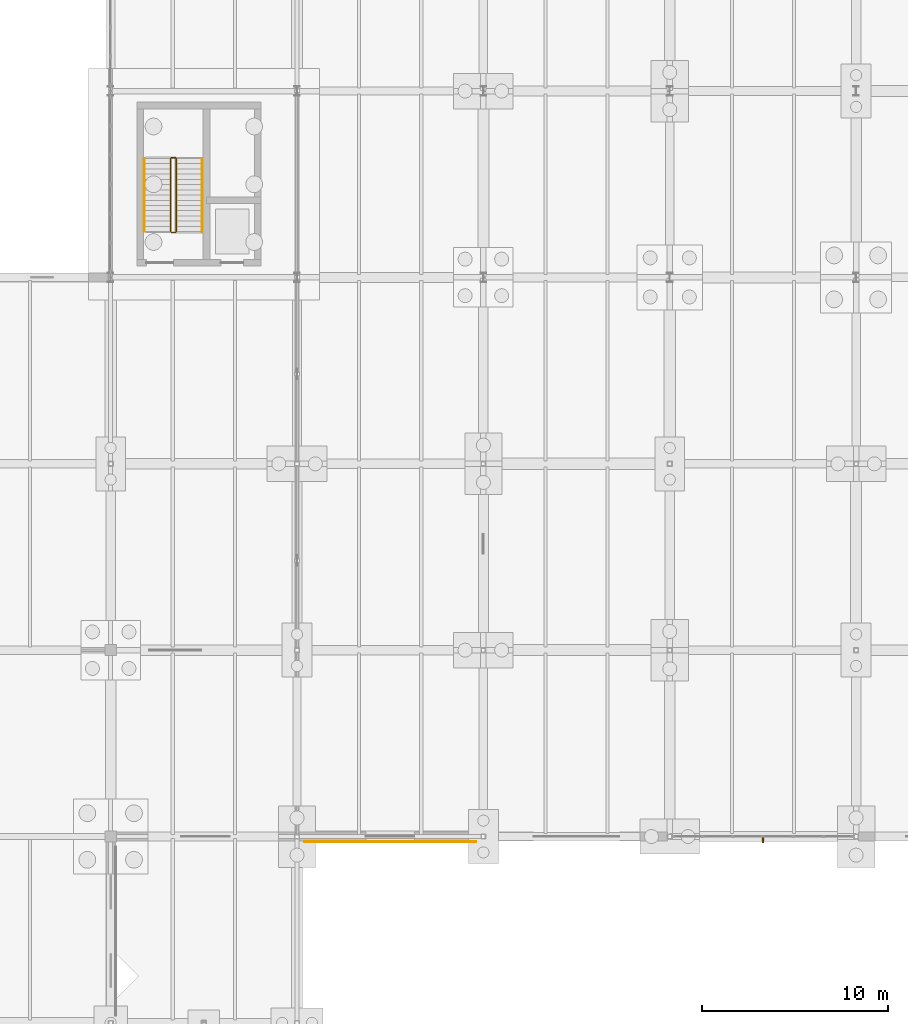
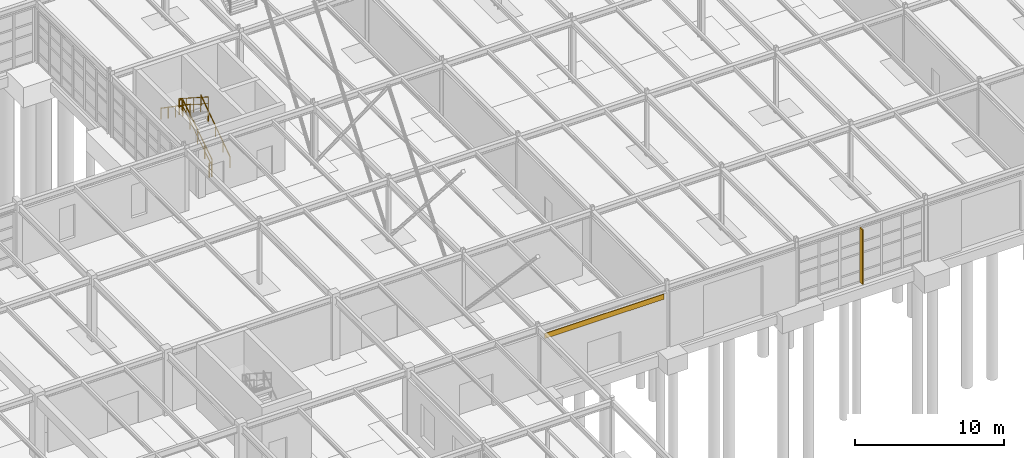
# One storey, part 133 of 145: 6 railings, 1 covering, 1 shading device.
"""IFC4 building model written with IfcOpenShell, lengths in metres."""

import ifcopenshell
import ifcopenshell.guid

model = None  # the IFC model being written
_history = None  # IfcOwnerHistory: only IFC2X3 demands one
_inside = {}  # id of a spatial element -> (the spatial element, [elements in it])
_under = {}  # id of a project, library or spatial element -> (it, [spatial elements below it])
_declared = {}  # id of a project -> (the project, [libraries it declares])
_typed = {}  # id of a type object -> (the type object, [elements of that type])
_made_of = {}  # id of a material, layer set ... -> (it, [elements and type objects made of it])


def new_model(schema):
    """Start an empty IFC model of exactly this schema.

    Asked for "IFC4X3", IfcOpenShell would pick the latest addendum, in which some entities
    have other attributes; the version numbers below select the first issue.
    IFC2X3 requires an IfcOwnerHistory on every rooted entity: one is made here for all.
    """
    global model, _history
    if schema == "IFC4X3":
        model = ifcopenshell.file(schema_version=(4, 3, 0, 0))
    else:
        model = ifcopenshell.file(schema=schema)
    _inside.clear()
    _under.clear()
    _declared.clear()
    _typed.clear()
    _made_of.clear()
    _history = None
    if model.schema == "IFC2X3":
        org = make("IfcOrganization", Name="unknown")
        user = make(
            "IfcPersonAndOrganization",
            ThePerson=make("IfcPerson", FamilyName="unknown"),
            TheOrganization=org,
        )
        app = make(
            "IfcApplication",
            ApplicationDeveloper=org,
            Version="unknown",
            ApplicationFullName="unknown",
            ApplicationIdentifier="unknown",
        )
        _history = make(
            "IfcOwnerHistory",
            OwningUser=user,
            OwningApplication=app,
            ChangeAction="ADDED",
            CreationDate=0,
        )
    return model


def make(cls, **values):
    """One entity of the class cls with the attributes given. An attribute that is None is left unset."""
    return model.create_entity(
        cls, **{name: value for name, value in values.items() if value is not None}
    )


def rooted(cls, **values):
    """An entity with a GlobalId (a new one), such as an element, a storey or a relation."""
    return make(cls, GlobalId=ifcopenshell.guid.new(), OwnerHistory=_history, **values)


def si_unit(unit_type, name, prefix=None):
    """IfcSIUnit, for example si_unit("LENGTHUNIT", "METRE", prefix="MILLI")."""
    return make("IfcSIUnit", UnitType=unit_type, Prefix=prefix, Name=name)


def assignment(units):
    """IfcUnitAssignment: the units of a project."""
    return None if units is None else make("IfcUnitAssignment", Units=units)


def point(xyz):
    """IfcCartesianPoint."""
    return None if xyz is None else make("IfcCartesianPoint", Coordinates=xyz)


def direction(xyz):
    """IfcDirection."""
    return None if xyz is None else make("IfcDirection", DirectionRatios=xyz)


def frame(location, z_axis=None, x_axis=None):
    """IfcAxis2Placement3D, a coordinate frame: its origin and axes. An axis left out is left unset."""
    return make(
        "IfcAxis2Placement3D",
        Location=point(location),
        Axis=direction(z_axis),
        RefDirection=direction(x_axis),
    )


def frame_2d(location, x_axis=None):
    """IfcAxis2Placement2D, a coordinate frame in the plane: its origin and x axis."""
    return make(
        "IfcAxis2Placement2D", Location=point(location), RefDirection=direction(x_axis)
    )


def origin():
    """The frame at (0, 0, 0) with its axes left unset."""
    return frame((0.0, 0.0, 0.0))


def origin_2d():
    """The frame at (0, 0) in the plane with its x axis left unset."""
    return frame_2d((0.0, 0.0))


def place(relative_to, where):
    """IfcLocalPlacement: puts the frame where relative to a parent placement (None: the world)."""
    return make(
        "IfcLocalPlacement", PlacementRelTo=relative_to, RelativePlacement=where
    )


def context(
    kind, dimensions, precision=None, world=None, true_north=None, identifier=None
):
    """IfcGeometricRepresentationContext, for example the 3D "Model" context."""
    return make(
        "IfcGeometricRepresentationContext",
        ContextIdentifier=identifier,
        ContextType=kind,
        CoordinateSpaceDimension=dimensions,
        Precision=precision,
        WorldCoordinateSystem=world,
        TrueNorth=true_north,
    )


def subcontext(parent, identifier, kind, view, scale=None):
    """IfcGeometricRepresentationSubContext, for example "Body" below "Model"."""
    return make(
        "IfcGeometricRepresentationSubContext",
        ContextIdentifier=identifier,
        ContextType=kind,
        ParentContext=parent,
        TargetScale=scale,
        TargetView=view,
    )


def project(units=None, contexts=None):
    """IfcProject with its units and contexts."""
    return rooted(
        "IfcProject",
        Name="project",
        RepresentationContexts=contexts,
        UnitsInContext=assignment(units),
    )


def spatial(cls, under=None, at=None, **own):
    """A site, building, storey or space (cls), placed at a placement, below another one or the project."""
    s = rooted(cls, ObjectPlacement=at, **own)
    if under is not None:
        _under.setdefault(under.id(), (under, []))[1].append(s)
    return s


def polyline(points):
    """IfcPolyline through the points."""
    return make("IfcPolyline", Points=[point(p) for p in points])


def profile(cls, at=None, kind="AREA", **sizes):
    """A parametric profile (cls). Its sizes go by their IFC names, for example OverallWidth=200.0."""
    return make(cls, ProfileType=kind, Position=at, **sizes)


def rectangle(**sizes):
    """IfcRectangleProfileDef."""
    return profile("IfcRectangleProfileDef", **sizes)


def circle(**sizes):
    """IfcCircleProfileDef."""
    return profile("IfcCircleProfileDef", **sizes)


def outline(outer, holes=None, kind="AREA"):
    """IfcArbitraryClosedProfileDef: a profile drawn as a closed curve; with holes, ...WithVoids."""
    if holes is None:
        return make("IfcArbitraryClosedProfileDef", ProfileType=kind, OuterCurve=outer)
    return make(
        "IfcArbitraryProfileDefWithVoids",
        ProfileType=kind,
        OuterCurve=outer,
        InnerCurves=holes,
    )


def extrude(swept, where, along, depth):
    """IfcExtrudedAreaSolid: the profile swept, set in the frame where, extruded along a direction by depth."""
    return make(
        "IfcExtrudedAreaSolid",
        SweptArea=swept,
        Position=where,
        ExtrudedDirection=direction(along),
        Depth=depth,
    )


def shape(context_of_items, identifier, shape_type, items):
    """IfcShapeRepresentation: the items that make up one representation, for example the "Body"."""
    return make(
        "IfcShapeRepresentation",
        ContextOfItems=context_of_items,
        RepresentationIdentifier=identifier,
        RepresentationType=shape_type,
        Items=items,
    )


def material(Name=None, Category=None):
    """IfcMaterial."""
    return make("IfcMaterial", Name=Name, Category=Category)


def layer(
    of_material, thickness, ventilated=None, Name=None, Category=None, Priority=None
):
    """IfcMaterialLayer: one layer of a wall or slab, of a material (None: an air gap)."""
    return make(
        "IfcMaterialLayer",
        Material=of_material,
        LayerThickness=thickness,
        IsVentilated=ventilated,
        Name=Name,
        Category=Category,
        Priority=Priority,
    )


def layer_set(layers, Name=None):
    """IfcMaterialLayerSet."""
    return make("IfcMaterialLayerSet", MaterialLayers=layers, LayerSetName=Name)


def made_of(thing, what):
    """Note that an element or type object is made of a material, layer set ...; save() writes the relation."""
    if what is not None:
        _made_of.setdefault(what.id(), (what, []))[1].append(thing)
    return thing


def type_object(cls, material=None, **own):
    """A type object (cls), such as IfcWallType, which elements share."""
    return made_of(rooted(cls, **own), material)


def element(
    cls,
    number,
    at=None,
    inside=None,
    cuts=None,
    type_object=None,
    material=None,
    context=None,
    identifier="Body",
    shape_type=None,
    held_by="IfcProductDefinitionShape",
    body=None,
    shapes=None,
    **own,
):
    """One element of the class cls, such as IfcWall. Its Tag is "e" and its number.

    at: its placement. inside: the storey or other place that contains it. cuts: it is an
    opening in that element (IfcRelVoidsElement). A single representation is given by context,
    identifier, shape_type and body (its items); several are given by shapes. held_by: the class
    of the entity that holds the representations. save() writes the other relations.
    """
    e = rooted(cls, Tag="e%d" % number, ObjectPlacement=at, **own)
    if body is not None:
        shapes = [shape(context, identifier, shape_type, body)]
    if shapes is not None:
        e.Representation = make(held_by, Representations=shapes)
    if inside is not None:
        _inside.setdefault(inside.id(), (inside, []))[1].append(e)
    if cuts is not None:
        rooted(
            "IfcRelVoidsElement", RelatingBuildingElement=cuts, RelatedOpeningElement=e
        )
    if type_object is not None:
        _typed.setdefault(type_object.id(), (type_object, []))[1].append(e)
    return made_of(e, material)


def aggregate(whole, parts):
    """IfcRelAggregates: a whole, such as a stair, and the parts it consists of."""
    return rooted("IfcRelAggregates", RelatingObject=whole, RelatedObjects=parts)


def save(model, path):
    """Write the relations noted so far, then the file.

    IfcRelAggregates (storeys below a building ...), IfcRelContainedInSpatialStructure (elements
    in a storey), IfcRelDefinesByType, IfcRelAssociatesMaterial and IfcRelDeclares: one each for
    every whole, place, type object, material and project.
    """
    for whole, parts in _under.values():
        aggregate(whole, parts)
    for where, things in _inside.values():
        rooted(
            "IfcRelContainedInSpatialStructure",
            RelatedElements=things,
            RelatingStructure=where,
        )
    for kind, things in _typed.values():
        rooted("IfcRelDefinesByType", RelatedObjects=things, RelatingType=kind)
    for what, things in _made_of.values():
        rooted("IfcRelAssociatesMaterial", RelatedObjects=things, RelatingMaterial=what)
    for by, libraries in _declared.values():
        rooted("IfcRelDeclares", RelatingContext=by, RelatedDefinitions=libraries)
    model.write(path)


model = new_model("IFC4")

# Units and contexts
model_context = context("Model", 3, precision=1e-05, world=origin(), true_north=direction((0.0, 1.0)))
body_context = subcontext(model_context, "Body", "Model", "MODEL_VIEW")
ifc_project = project(units=[si_unit("LENGTHUNIT", "METRE"), si_unit("AREAUNIT", "SQUARE_METRE"), si_unit("VOLUMEUNIT", "CUBIC_METRE"), si_unit("PLANEANGLEUNIT", "RADIAN"), si_unit("MASSUNIT", "GRAM", prefix="KILO"), si_unit("THERMODYNAMICTEMPERATUREUNIT", "KELVIN"), si_unit("POWERUNIT", "WATT")], contexts=[model_context])

# Site, building, storey
site_placement = place(None, origin())
site = spatial("IfcSite", under=ifc_project, at=site_placement, CompositionType="ELEMENT")
building_placement = place(site_placement, origin())
building = spatial("IfcBuilding", under=site, at=building_placement, Name="Korenveer Ferry Terminal", CompositionType="ELEMENT")
storey_placement = place(building_placement, origin())
storey = spatial("IfcBuildingStorey", under=building, at=storey_placement, Name="L00", CompositionType="ELEMENT", Elevation=0.0)

# Covering
ifc_material_1 = material(Name="Carved Belgian bluestone spandrel cladding", Category="masonry")
ifc_layer = layer(ifc_material_1, 0.050048828125)
ifc_layer_set = layer_set([ifc_layer], Name="Carved Belgian bluestone spandrel cladding")
covering_type = type_object("IfcCoveringType", Name="ENV-COV-STONE", PredefinedType="CLADDING", material=ifc_layer_set)
covering_placement = place(storey_placement, frame((0.0, 0.0, 4.1201171875)))
element("IfcCovering", 1, at=covering_placement, inside=storey, type_object=covering_type, Name="Belgian bluestone spandrel band 4", PredefinedType="CLADDING", context=body_context, shape_type="SweptSolid", body=[
    extrude(outline(polyline([(63.375, 19.705078125), (72.625, 19.705078125), (72.625, 19.7548828125), (63.375, 19.7548828125), (63.375, 19.705078125)])), origin(), (0.0, 0.0, 1.0), 0.419921875),
])

# Shading device
ifc_material_2 = material(Name="Anodised bronze aluminium solar fin", Category="aluminium")
shading_device_type = type_object("IfcShadingDeviceType", Name="ENV-SHD-FIN", PredefinedType="JALOUSIE", material=ifc_material_2)
shading_device_placement = place(storey_placement, frame((88.0, 19.840087890625, -0.02001953125), z_axis=(0.0, 0.0, 1.0), x_axis=(0.0, 1.0, 0.0)))
element("IfcShadingDevice", 2, at=shading_device_placement, inside=storey, type_object=shading_device_type, Name="Gothic solar fin 1", PredefinedType="JALOUSIE", context=body_context, shape_type="SweptSolid", body=[
    extrude(rectangle(XDim=0.360107421875, YDim=0.080078125, at=origin_2d()), origin(), (0.0, 0.0, 1.0), 4.469970703125),
])

# Railings
ifc_material_3 = material(Name="Brushed stainless steel handrail", Category="steel")
railing_type_1 = type_object("IfcRailingType", Name="INT-RL-HND90", PredefinedType="HANDRAIL", material=ifc_material_3)
railing_1_placement = place(storey_placement, frame((57.909912109375, 52.4599609375, 0.179931640625)))
element("IfcRailing", 3, at=railing_1_placement, inside=storey, type_object=railing_type_1, Name="L00 ST05 stair handrail 1", PredefinedType="HANDRAIL", context=body_context, shape_type="SweptSolid", body=[
    extrude(circle(Radius=0.02392578125, at=origin_2d()), frame((0.0, 0.0, 0.8759765625), z_axis=(0.0, 0.823550731654, 0.567242622158), x_axis=(-1.0, 0.0, 0.0)), (0.0, 0.0, 1.0), 4.759765625),
    extrude(circle(Radius=0.02099609375, at=origin_2d()), origin(), (0.0, 0.0, 1.0), 0.851806640625),
    extrude(circle(Radius=0.02099609375, at=origin_2d()), frame((0.0, 0.97998046875, 0.675048828125)), (0.0, 0.0, 1.0), 0.851806640625),
    extrude(circle(Radius=0.02099609375, at=origin_2d()), frame((0.0, 1.9599609375, 1.35009765625)), (0.0, 0.0, 1.0), 0.851806640625),
    extrude(circle(Radius=0.02099609375, at=origin_2d()), frame((0.0, 2.93994140625, 2.02490234375)), (0.0, 0.0, 1.0), 0.851806640625),
    extrude(circle(Radius=0.02099609375, at=origin_2d()), frame((0.0, 3.919921875, 2.699951171875)), (0.0, 0.0, 1.0), 0.851806640625),
])
railing_2_placement = place(storey_placement, frame((54.81005859375, 56.3798828125, 2.8798828125)))
element("IfcRailing", 4, at=railing_2_placement, inside=storey, type_object=railing_type_1, Name="L00 ST05 stair handrail 2", PredefinedType="HANDRAIL", context=body_context, shape_type="SweptSolid", body=[
    extrude(circle(Radius=0.02392578125, at=origin_2d()), frame((0.0, 0.0, 0.8759765625), z_axis=(0.0, -0.823526770215, 0.56727740898), x_axis=(1.0, 0.0, 0.0)), (0.0, 0.0, 1.0), 4.760009765625),
    extrude(circle(Radius=0.02099609375, at=origin_2d()), origin(), (0.0, 0.0, 1.0), 0.851806640625),
    extrude(circle(Radius=0.02099609375, at=origin_2d()), frame((0.0, -0.97998046875, 0.675048828125)), (0.0, 0.0, 1.0), 0.851806640625),
    extrude(circle(Radius=0.02099609375, at=origin_2d()), frame((0.0, -1.9599609375, 1.35009765625)), (0.0, 0.0, 1.0), 0.851806640625),
    extrude(circle(Radius=0.02099609375, at=origin_2d()), frame((0.0, -2.93994140625, 2.025146484375)), (0.0, 0.0, 1.0), 0.851806640625),
    extrude(circle(Radius=0.02099609375, at=origin_2d()), frame((0.0, -3.919921875, 2.7001953125)), (0.0, 0.0, 1.0), 0.851806640625),
])
ifc_material_4 = material(Name="Painted steel stair guard", Category="steel")
railing_type_2 = type_object("IfcRailingType", Name="INT-RL-STGRD", PredefinedType="GUARDRAIL", material=ifc_material_4)
railing_3_placement = place(storey_placement, frame((56.510009765625, 52.4599609375, 0.179931640625)))
element("IfcRailing", 5, at=railing_3_placement, inside=storey, type_object=railing_type_2, Name="L00 ST05 stair guard 1", PredefinedType="GUARDRAIL", context=body_context, shape_type="SweptSolid", body=[
    extrude(circle(Radius=0.02392578125, at=origin_2d()), frame((0.0, 0.0, 1.17578125), z_axis=(0.0, 0.841171666519, 0.540768182723), x_axis=(-1.0, 0.0, 0.0)), (0.0, 0.0, 1.0), 4.66015625),
    extrude(circle(Radius=0.01806640625, at=origin_2d()), frame((0.0, 0.0, 0.6240234375), z_axis=(0.0, 0.841171666519, 0.540768182723), x_axis=(-1.0, 0.0, 0.0)), (0.0, 0.0, 1.0), 4.66015625),
    extrude(circle(Radius=0.02099609375, at=origin_2d()), origin(), (0.0, 0.0, 1.0), 1.15185546875),
    extrude(circle(Radius=0.02099609375, at=origin_2d()), frame((0.0, 0.97998046875, 0.6298828125)), (0.0, 0.0, 1.0), 1.15185546875),
    extrude(circle(Radius=0.02099609375, at=origin_2d()), frame((0.0, 1.9599609375, 1.260009765625)), (0.0, 0.0, 1.0), 1.15185546875),
    extrude(circle(Radius=0.02099609375, at=origin_2d()), frame((0.0, 2.93994140625, 1.89013671875)), (0.0, 0.0, 1.0), 1.15185546875),
    extrude(circle(Radius=0.02099609375, at=origin_2d()), frame((0.0, 3.919921875, 2.52001953125)), (0.0, 0.0, 1.0), 1.15185546875),
])
railing_4_placement = place(storey_placement, frame((56.4599609375, 56.429931640625, 2.699951171875)))
element("IfcRailing", 6, at=railing_4_placement, inside=storey, type_object=railing_type_2, Name="L00 ST05 stair guard 2", PredefinedType="GUARDRAIL", context=body_context, shape_type="SweptSolid", body=[
    extrude(circle(Radius=0.02392578125, at=origin_2d()), frame((0.0, 0.0, 1.17578125), z_axis=(-1.0, 0.0, 0.0), x_axis=(0.0, -1.0, 0.0)), (0.0, 0.0, 1.0), 0.199951171875),
    extrude(circle(Radius=0.01806640625, at=origin_2d()), frame((0.0, 0.0, 0.6240234375), z_axis=(-1.0, 0.0, 0.0), x_axis=(0.0, -1.0, 0.0)), (0.0, 0.0, 1.0), 0.199951171875),
    extrude(circle(Radius=0.02099609375, at=origin_2d()), origin(), (0.0, 0.0, 1.0), 1.15185546875),
    extrude(circle(Radius=0.02099609375, at=origin_2d()), frame((-0.199951171875, 0.0, 0.0)), (0.0, 0.0, 1.0), 1.15185546875),
])
railing_5_placement = place(storey_placement, frame((56.2099609375, 56.3798828125, 2.8798828125)))
element("IfcRailing", 7, at=railing_5_placement, inside=storey, type_object=railing_type_2, Name="L00 ST05 stair guard 3", PredefinedType="GUARDRAIL", context=body_context, shape_type="SweptSolid", body=[
    extrude(circle(Radius=0.02392578125, at=origin_2d()), frame((0.0, 0.0, 1.17578125), z_axis=(0.0, -0.841171666519, 0.540768182723), x_axis=(1.0, 0.0, 0.0)), (0.0, 0.0, 1.0), 4.66015625),
    extrude(circle(Radius=0.01806640625, at=origin_2d()), frame((0.0, 0.0, 0.6240234375), z_axis=(0.0, -0.841171666519, 0.540768182723), x_axis=(1.0, 0.0, 0.0)), (0.0, 0.0, 1.0), 4.66015625),
    extrude(circle(Radius=0.02099609375, at=origin_2d()), origin(), (0.0, 0.0, 1.0), 1.15185546875),
    extrude(circle(Radius=0.02099609375, at=origin_2d()), frame((0.0, -0.97998046875, 0.6298828125)), (0.0, 0.0, 1.0), 1.15185546875),
    extrude(circle(Radius=0.02099609375, at=origin_2d()), frame((0.0, -1.9599609375, 1.260009765625)), (0.0, 0.0, 1.0), 1.15185546875),
    extrude(circle(Radius=0.02099609375, at=origin_2d()), frame((0.0, -2.93994140625, 1.89013671875)), (0.0, 0.0, 1.0), 1.15185546875),
    extrude(circle(Radius=0.02099609375, at=origin_2d()), frame((0.0, -3.919921875, 2.52001953125)), (0.0, 0.0, 1.0), 1.15185546875),
])
railing_6_placement = place(storey_placement, frame((56.4599609375, 52.409912109375, 0.0)))
element("IfcRailing", 8, at=railing_6_placement, inside=storey, type_object=railing_type_2, Name="L00 ST05 stair guard 4", PredefinedType="GUARDRAIL", context=body_context, shape_type="SweptSolid", body=[
    extrude(circle(Radius=0.02392578125, at=origin_2d()), frame((0.0, 0.0, 1.17578125), z_axis=(-1.0, 0.0, 0.0), x_axis=(0.0, -1.0, 0.0)), (0.0, 0.0, 1.0), 0.199951171875),
    extrude(circle(Radius=0.01806640625, at=origin_2d()), frame((0.0, 0.0, 0.6240234375), z_axis=(-1.0, 0.0, 0.0), x_axis=(0.0, -1.0, 0.0)), (0.0, 0.0, 1.0), 0.199951171875),
    extrude(circle(Radius=0.02099609375, at=origin_2d()), origin(), (0.0, 0.0, 1.0), 1.15185546875),
    extrude(circle(Radius=0.02099609375, at=origin_2d()), frame((-0.199951171875, 0.0, 0.0)), (0.0, 0.0, 1.0), 1.15185546875),
])

save(model, "model.ifc")
